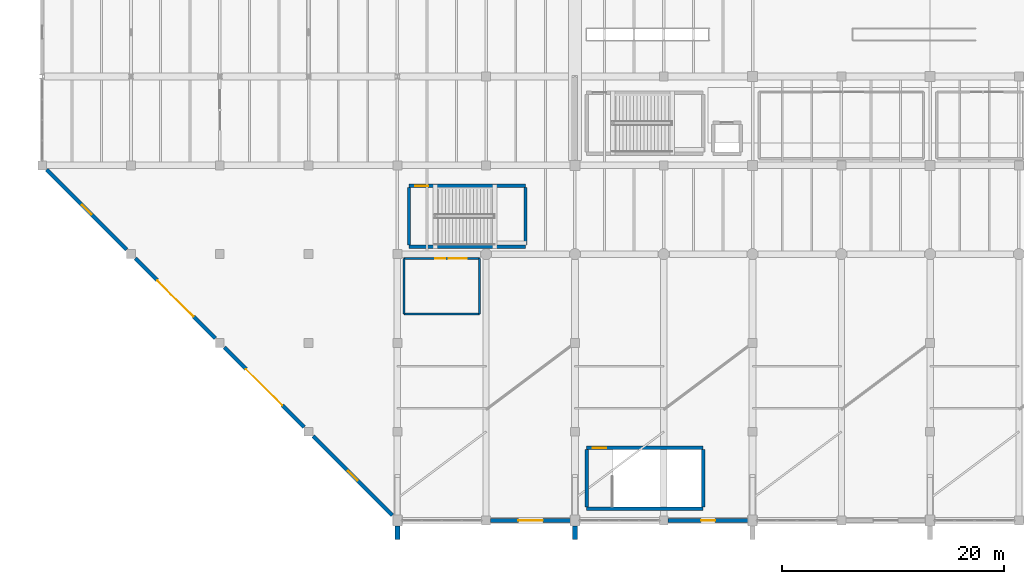
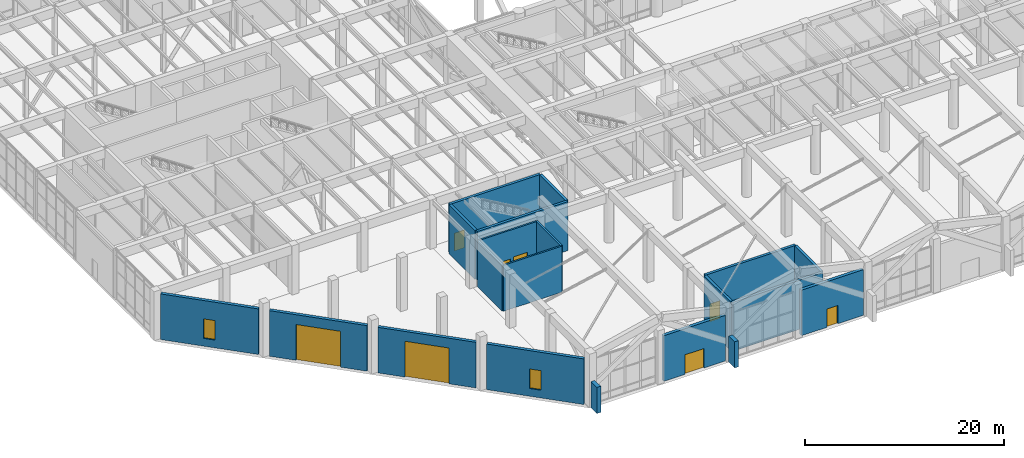
# One storey, part 33 of 51: 20 walls, 7 doors, 3 windows, 10 openings.
"""IFC4 building model written with IfcOpenShell, lengths in metres."""

from ifc_helpers import new_model, si_unit, direction, frame, frame_2d, origin, place, context, subcontext, project, spatial, rectangle, extrude, material, layer, layer_set, type_object, element, fill, save


model = new_model("IFC4")

# Units and contexts
model_context = context("Model", 3, precision=1e-05, world=origin(), true_north=direction((0.0, 1.0)))
body_context = subcontext(model_context, "Body", "Model", "MODEL_VIEW")
ifc_project = project(units=[si_unit("LENGTHUNIT", "METRE"), si_unit("AREAUNIT", "SQUARE_METRE"), si_unit("VOLUMEUNIT", "CUBIC_METRE"), si_unit("PLANEANGLEUNIT", "RADIAN"), si_unit("MASSUNIT", "GRAM", prefix="KILO")], contexts=[model_context])

# Site, building, storey
site_placement = place(None, origin())
site = spatial("IfcSite", under=ifc_project, at=site_placement, CompositionType="ELEMENT")
building_placement = place(site_placement, origin())
building = spatial("IfcBuilding", under=site, at=building_placement, Name="Varnela Railside Interchange", CompositionType="ELEMENT")
storey_placement = place(building_placement, origin())
storey = spatial("IfcBuildingStorey", under=building, at=storey_placement, Name="L00", CompositionType="ELEMENT", Elevation=0.0)

# Wall, opening, window
ifc_material_1 = material(Name="Concrete C40 precast", Category="concrete")
ifc_layer_1 = layer(ifc_material_1, 0.35009765625)
ifc_layer_set_1 = layer_set([ifc_layer_1], Name="Concrete C40 precast")
wall_type_1 = type_object("IfcWallType", Name="Bus Deck Acoustic Concrete Wall EW-04", PredefinedType="STANDARD", material=ifc_layer_set_1)
wall_1_placement = place(storey_placement, frame((35.547119140625, 6.452880859375, 0.0), z_axis=(0.0, 0.0, 1.0), x_axis=(-0.707106781187, 0.707106781187, 0.0)))
wall_1 = element("IfcWall", 1, at=wall_1_placement, inside=storey, type_object=wall_type_1, Name="Bus Deck Acoustic Concrete Wall EW-04 (L00) (WL-0341)", PredefinedType="STANDARD", context=body_context, shape_type="SweptSolid", body=[
    extrude(rectangle(XDim=10.107666015625, YDim=0.35009765625, at=frame_2d((5.0537109375, 0.0))), origin(), (0.0, 0.0, 1.0), 5.60009765625),
])
opening_1_placement = place(wall_1_placement, frame((4.453857421875, 0.0, 0.949951171875)))
opening_1 = element("IfcOpeningElement", 2, at=opening_1_placement, cuts=wall_1, Name="Opening W-001", PredefinedType="OPENING", context=body_context, shape_type="SweptSolid", body=[
    extrude(rectangle(XDim=1.199951171875, YDim=2.39990234375, at=frame_2d((0.60009765625, 1.199951171875))), frame((0.0, 0.18505859375, 0.0), z_axis=(0.0, -1.0, 0.0), x_axis=(1.0, 0.0, 0.0)), (0.0, 0.0, 1.0), 0.3701171875),
])
ifc_material_2 = material(Name="Glass laminated double", Category="glass")
window_type_1 = type_object("IfcWindowType", Name="Diagonal Portal Sidelight WN-08", PartitioningType="SINGLE_PANEL", PredefinedType="WINDOW", material=ifc_material_2)
window_1_placement = place(opening_1_placement, origin())
window_1 = element("IfcWindow", 3, at=window_1_placement, inside=storey, type_object=window_type_1, Name="Window W-001", OverallHeight=2.39990234375, OverallWidth=1.199951171875, PartitioningType="SINGLE_PANEL", PredefinedType="WINDOW", context=body_context, shape_type="SweptSolid", body=[
    extrude(rectangle(XDim=1.199951171875, YDim=2.39990234375, at=frame_2d((0.60009765625, 1.199951171875))), frame((0.0, 0.030029296875, 0.0), z_axis=(0.0, -1.0, 0.0), x_axis=(1.0, 0.0, 0.0)), (0.0, 0.0, 1.0), 0.06005859375),
])
fill(opening_1, window_1)

# Wall, opening, door
wall_2_placement = place(storey_placement, frame((27.60009765625, 14.39990234375, 0.0), z_axis=(0.0, 0.0, 1.0), x_axis=(-0.707106781187, 0.707106781187, 0.0)))
wall_2 = element("IfcWall", 4, at=wall_2_placement, inside=storey, type_object=wall_type_1, Name="Bus Deck Acoustic Concrete Wall EW-04 (L00) (WL-0348)", PredefinedType="STANDARD", context=body_context, shape_type="SweptSolid", body=[
    extrude(rectangle(XDim=10.1826171875, YDim=0.35009765625, at=frame_2d((5.09130859375, 0.0))), origin(), (0.0, 0.0, 1.0), 5.60009765625),
])
opening_2_placement = place(wall_2_placement, frame((2.791259765625, 0.0, 0.0)))
opening_2 = element("IfcOpeningElement", 5, at=opening_2_placement, cuts=wall_2, Name="Opening D-001", PredefinedType="OPENING", context=body_context, shape_type="SweptSolid", body=[
    extrude(rectangle(XDim=4.60009765625, YDim=4.39990234375, at=frame_2d((2.300048828125, 2.199951171875))), frame((0.0, 0.18505859375, 0.0), z_axis=(0.0, -1.0, 0.0), x_axis=(1.0, 0.0, 0.0)), (0.0, 0.0, 1.0), 0.3701171875),
])
ifc_material_3 = material(Name="Steel AR 350 (350 MPa)", Category="steel")
door_type_1 = type_object("IfcDoorType", Name="Bus Apron Roller Portal Gate ED-05", OperationType="ROLLINGUP", PredefinedType="GATE", material=ifc_material_3)
door_1_placement = place(opening_2_placement, origin())
door_1 = element("IfcDoor", 6, at=door_1_placement, inside=storey, type_object=door_type_1, Name="Door D-001", OperationType="ROLLINGUP", OverallHeight=4.39990234375, OverallWidth=4.60009765625, PredefinedType="GATE", context=body_context, shape_type="SweptSolid", body=[
    extrude(rectangle(XDim=4.60009765625, YDim=4.39990234375, at=frame_2d((2.300048828125, 2.199951171875))), frame((0.0, 0.02490234375, 0.0), z_axis=(0.0, -1.0, 0.0), x_axis=(1.0, 0.0, 0.0)), (0.0, 0.0, 1.0), 0.050048828125),
])
fill(opening_2, door_1)

wall_3_placement = place(storey_placement, frame((19.60009765625, 22.39990234375, 0.0), z_axis=(0.0, 0.0, 1.0), x_axis=(-0.707106781187, 0.707106781187, 0.0)))
wall_3 = element("IfcWall", 7, at=wall_3_placement, inside=storey, type_object=wall_type_1, Name="Bus Deck Acoustic Concrete Wall EW-04 (L00) (WL-0354)", PredefinedType="STANDARD", context=body_context, shape_type="SweptSolid", body=[
    extrude(rectangle(XDim=10.1826171875, YDim=0.35009765625, at=frame_2d((5.09130859375, 0.0))), origin(), (0.0, 0.0, 1.0), 5.60009765625),
])
opening_3_placement = place(wall_3_placement, frame((2.791259765625, 0.0, 0.0)))
opening_3 = element("IfcOpeningElement", 8, at=opening_3_placement, cuts=wall_3, Name="Opening D-002", PredefinedType="OPENING", context=body_context, shape_type="SweptSolid", body=[
    extrude(rectangle(XDim=4.60009765625, YDim=4.39990234375, at=frame_2d((2.300048828125, 2.199951171875))), frame((0.0, 0.18505859375, 0.0), z_axis=(0.0, -1.0, 0.0), x_axis=(1.0, 0.0, 0.0)), (0.0, 0.0, 1.0), 0.3701171875),
])
door_2_placement = place(opening_3_placement, origin())
door_2 = element("IfcDoor", 9, at=door_2_placement, inside=storey, type_object=door_type_1, Name="Door D-002", OperationType="ROLLINGUP", OverallHeight=4.39990234375, OverallWidth=4.60009765625, PredefinedType="GATE", context=body_context, shape_type="SweptSolid", body=[
    extrude(rectangle(XDim=4.60009765625, YDim=4.39990234375, at=frame_2d((2.300048828125, 2.199951171875))), frame((0.0, 0.02490234375, 0.0), z_axis=(0.0, -1.0, 0.0), x_axis=(1.0, 0.0, 0.0)), (0.0, 0.0, 1.0), 0.050048828125),
])
fill(opening_3, door_2)

# Wall, opening, window
wall_4_placement = place(storey_placement, frame((11.60009765625, 30.39990234375, 0.0), z_axis=(0.0, 0.0, 1.0), x_axis=(-0.707106781187, 0.707106781187, 0.0)))
wall_4 = element("IfcWall", 10, at=wall_4_placement, inside=storey, type_object=wall_type_1, Name="Bus Deck Acoustic Concrete Wall EW-04 (L00) (WL-0365)", PredefinedType="STANDARD", context=body_context, shape_type="SweptSolid", body=[
    extrude(rectangle(XDim=10.1826171875, YDim=0.35009765625, at=frame_2d((5.09130859375, 0.0))), origin(), (0.0, 0.0, 1.0), 5.60009765625),
])
opening_4_placement = place(wall_4_placement, frame((4.4912109375, 0.0, 0.949951171875)))
opening_4 = element("IfcOpeningElement", 11, at=opening_4_placement, cuts=wall_4, Name="Opening W-002", PredefinedType="OPENING", context=body_context, shape_type="SweptSolid", body=[
    extrude(rectangle(XDim=1.199951171875, YDim=2.39990234375, at=frame_2d((0.60009765625, 1.199951171875))), frame((0.0, 0.18505859375, 0.0), z_axis=(0.0, -1.0, 0.0), x_axis=(1.0, 0.0, 0.0)), (0.0, 0.0, 1.0), 0.3701171875),
])
window_2_placement = place(opening_4_placement, origin())
window_2 = element("IfcWindow", 12, at=window_2_placement, inside=storey, type_object=window_type_1, Name="Window W-002", OverallHeight=2.39990234375, OverallWidth=1.199951171875, PartitioningType="SINGLE_PANEL", PredefinedType="WINDOW", context=body_context, shape_type="SweptSolid", body=[
    extrude(rectangle(XDim=1.199951171875, YDim=2.39990234375, at=frame_2d((0.60009765625, 1.199951171875))), frame((0.0, 0.030029296875, 0.0), z_axis=(0.0, -1.0, 0.0), x_axis=(1.0, 0.0, 0.0)), (0.0, 0.0, 1.0), 0.06005859375),
])
fill(opening_4, window_2)

# Wall, opening, door
wall_5_placement = place(storey_placement, frame((67.60009765625, 6.0, 0.0), z_axis=(0.0, 0.0, 1.0), x_axis=(-1.0, 0.0, 0.0)))
wall_5 = element("IfcWall", 13, at=wall_5_placement, inside=storey, type_object=wall_type_1, Name="Bus Deck Acoustic Concrete Wall EW-04 (L00) (WL-0381)", PredefinedType="STANDARD", context=body_context, shape_type="SweptSolid", body=[
    extrude(rectangle(XDim=7.2001953125, YDim=0.35009765625, at=frame_2d((3.60009765625, 0.0))), origin(), (0.0, 0.0, 1.0), 5.60009765625),
])
opening_5_placement = place(wall_5_placement, frame((2.97509765625, 0.0, 0.0)))
opening_5 = element("IfcOpeningElement", 14, at=opening_5_placement, cuts=wall_5, Name="Opening D-022", PredefinedType="OPENING", context=body_context, shape_type="SweptSolid", body=[
    extrude(rectangle(XDim=1.25, YDim=2.25, at=frame_2d((0.625, 1.125))), frame((0.0, 0.18505859375, 0.0), z_axis=(0.0, -1.0, 0.0), x_axis=(1.0, 0.0, 0.0)), (0.0, 0.0, 1.0), 0.3701171875),
])
door_type_2 = type_object("IfcDoorType", Name="Trackside Service Exit Door ED-08", OperationType="SINGLE_SWING_RIGHT", PredefinedType="DOOR", material=ifc_material_3)
door_3_placement = place(opening_5_placement, origin())
door_3 = element("IfcDoor", 15, at=door_3_placement, inside=storey, type_object=door_type_2, Name="Door D-022", OperationType="SINGLE_SWING_RIGHT", OverallHeight=2.25, OverallWidth=1.25, PredefinedType="DOOR", context=body_context, shape_type="SweptSolid", body=[
    extrude(rectangle(XDim=1.25, YDim=2.25, at=frame_2d((0.625, 1.125))), frame((0.0, 0.02490234375, 0.0), z_axis=(0.0, -1.0, 0.0), x_axis=(1.0, 0.0, 0.0)), (0.0, 0.0, 1.0), 0.050048828125),
])
fill(opening_5, door_3)

wall_6_placement = place(storey_placement, frame((51.60009765625, 6.0, 0.0), z_axis=(0.0, 0.0, 1.0), x_axis=(-1.0, 0.0, 0.0)))
wall_6 = element("IfcWall", 16, at=wall_6_placement, inside=storey, type_object=wall_type_1, Name="Bus Deck Acoustic Concrete Wall EW-04 (L00) (WL-0383)", PredefinedType="STANDARD", context=body_context, shape_type="SweptSolid", body=[
    extrude(rectangle(XDim=7.2001953125, YDim=0.35009765625, at=frame_2d((3.60009765625, 0.0))), origin(), (0.0, 0.0, 1.0), 5.60009765625),
])
opening_6_placement = place(wall_6_placement, frame((2.5, 0.0, 0.0)))
opening_6 = element("IfcOpeningElement", 17, at=opening_6_placement, cuts=wall_6, Name="Opening D-023", PredefinedType="OPENING", context=body_context, shape_type="SweptSolid", body=[
    extrude(rectangle(XDim=2.199951171875, YDim=2.39990234375, at=frame_2d((1.10009765625, 1.199951171875))), frame((0.0, 0.18505859375, 0.0), z_axis=(0.0, -1.0, 0.0), x_axis=(1.0, 0.0, 0.0)), (0.0, 0.0, 1.0), 0.3701171875),
])
ifc_material_4 = material(Name="Aluminium 6063-T6", Category="aluminium")
door_type_3 = type_object("IfcDoorType", Name="Bus Bay Automatic Boarding Door ED-04", OperationType="SLIDING_TO_LEFT", PredefinedType="DOOR", material=ifc_material_4)
door_4_placement = place(opening_6_placement, origin())
door_4 = element("IfcDoor", 18, at=door_4_placement, inside=storey, type_object=door_type_3, Name="Door D-023", OperationType="SLIDING_TO_LEFT", OverallHeight=2.39990234375, OverallWidth=2.199951171875, PredefinedType="DOOR", context=body_context, shape_type="SweptSolid", body=[
    extrude(rectangle(XDim=2.199951171875, YDim=2.39990234375, at=frame_2d((1.10009765625, 1.199951171875))), frame((0.0, 0.02490234375, 0.0), z_axis=(0.0, -1.0, 0.0), x_axis=(1.0, 0.0, 0.0)), (0.0, 0.0, 1.0), 0.050048828125),
])
fill(opening_6, door_4)

ifc_material_5 = material(Name="Concrete C50", Category="concrete")
ifc_layer_2 = layer(ifc_material_5, 0.300048828125)
ifc_layer_set_2 = layer_set([ifc_layer_2], Name="Concrete C50")
wall_type_2 = type_object("IfcWallType", Name="Stair & Lift Shaft Wall SW-03", PredefinedType="SHEAR", material=ifc_layer_set_2)
wall_7_placement = place(storey_placement, frame((37.050048828125, 36.14990234375, 0.0), z_axis=(0.0, 0.0, 1.0), x_axis=(1.0, 0.0, 0.0)))
wall_7 = element("IfcWall", 19, at=wall_7_placement, inside=storey, type_object=wall_type_2, Name="Stair & Lift Shaft Wall SW-03 (L00) (WL-0455)", PredefinedType="SHEAR", context=body_context, shape_type="SweptSolid", body=[
    extrude(rectangle(XDim=10.5, YDim=0.300048828125, at=frame_2d((5.25, 0.0))), origin(), (0.0, 0.0, 1.0), 6.02001953125),
])
opening_7_placement = place(wall_7_placement, frame((0.550048828125, 0.0, 0.0)))
opening_7 = element("IfcOpeningElement", 20, at=opening_7_placement, cuts=wall_7, Name="Opening D-162", PredefinedType="OPENING", context=body_context, shape_type="SweptSolid", body=[
    extrude(rectangle(XDim=1.199951171875, YDim=2.199951171875, at=frame_2d((0.60009765625, 1.10009765625))), frame((0.0, 0.159912109375, 0.0), z_axis=(0.0, -1.0, 0.0), x_axis=(1.0, 0.0, 0.0)), (0.0, 0.0, 1.0), 0.320068359375),
])
door_type_4 = type_object("IfcDoorType", Name="DR-SGL-1200-FD90", OperationType="NOTDEFINED", PredefinedType="DOOR", material=ifc_material_3)
door_5_placement = place(opening_7_placement, origin())
door_5 = element("IfcDoor", 21, at=door_5_placement, inside=storey, type_object=door_type_4, Name="Door D-162", OperationType="SINGLE_SWING_LEFT", OverallHeight=2.199951171875, OverallWidth=1.199951171875, PredefinedType="DOOR", context=body_context, shape_type="SweptSolid", body=[
    extrude(rectangle(XDim=1.199951171875, YDim=2.199951171875, at=frame_2d((0.60009765625, 1.10009765625))), frame((0.0, 0.02490234375, 0.0), z_axis=(0.0, -1.0, 0.0), x_axis=(1.0, 0.0, 0.0)), (0.0, 0.0, 1.0), 0.050048828125),
])
fill(opening_7, door_5)

# Walls
wall_8_placement = place(storey_placement, frame((37.050048828125, 30.64990234375, 0.0), z_axis=(0.0, 0.0, 1.0), x_axis=(1.0, 0.0, 0.0)))
element("IfcWall", 22, at=wall_8_placement, inside=storey, type_object=wall_type_2, Name="Stair & Lift Shaft Wall SW-03 (L00) (WL-0456)", PredefinedType="SHEAR", context=body_context, shape_type="SweptSolid", body=[
    extrude(rectangle(XDim=10.5, YDim=0.300048828125, at=frame_2d((5.25, 0.0))), origin(), (0.0, 0.0, 1.0), 6.02001953125),
])
for number, where, z_axis, x_axis, name in (
    (23, (37.050048828125, 30.800048828125, 0.0), (0.0, 0.0, 1.0), (0.0, 1.0, 0.0), "Stair & Lift Shaft Wall SW-03 (L00) (WL-0457)"),
    (24, (47.550048828125, 30.800048828125, 0.0), (0.0, 0.0, 1.0), (0.0, 1.0, 0.0), "Stair & Lift Shaft Wall SW-03 (L00) (WL-0454)"),
):
    element("IfcWall", number, at=place(storey_placement, frame(where, z_axis=z_axis, x_axis=x_axis)), inside=storey, type_object=wall_type_2, Name=name, PredefinedType="SHEAR", context=body_context, shape_type="SweptSolid", body=[
        extrude(rectangle(XDim=5.199951171875, YDim=0.300048828125, at=frame_2d((2.60009765625, 0.0))), origin(), (0.0, 0.0, 1.0), 6.02001953125),
    ])

# Wall, opening, door
wall_9_placement = place(storey_placement, frame((53.050048828125, 12.550048828125, 0.0), z_axis=(0.0, 0.0, 1.0), x_axis=(1.0, 0.0, 0.0)))
wall_9 = element("IfcWall", 25, at=wall_9_placement, inside=storey, type_object=wall_type_2, Name="Stair & Lift Shaft Wall SW-03 (L00) (WL-0463)", PredefinedType="SHEAR", context=body_context, shape_type="SweptSolid", body=[
    extrude(rectangle(XDim=10.5, YDim=0.300048828125, at=frame_2d((5.25, 0.0))), origin(), (0.0, 0.0, 1.0), 6.02001953125),
])
opening_8_placement = place(wall_9_placement, frame((0.550048828125, 0.0, 0.0)))
opening_8 = element("IfcOpeningElement", 26, at=opening_8_placement, cuts=wall_9, Name="Opening D-164", PredefinedType="OPENING", context=body_context, shape_type="SweptSolid", body=[
    extrude(rectangle(XDim=1.199951171875, YDim=2.199951171875, at=frame_2d((0.60009765625, 1.10009765625))), frame((0.0, 0.159912109375, 0.0), z_axis=(0.0, -1.0, 0.0), x_axis=(1.0, 0.0, 0.0)), (0.0, 0.0, 1.0), 0.320068359375),
])
door_6_placement = place(opening_8_placement, origin())
door_6 = element("IfcDoor", 27, at=door_6_placement, inside=storey, type_object=door_type_4, Name="Door D-164", OperationType="SINGLE_SWING_LEFT", OverallHeight=2.199951171875, OverallWidth=1.199951171875, PredefinedType="DOOR", context=body_context, shape_type="SweptSolid", body=[
    extrude(rectangle(XDim=1.199951171875, YDim=2.199951171875, at=frame_2d((0.60009765625, 1.10009765625))), frame((0.0, 0.02490234375, 0.0), z_axis=(0.0, -1.0, 0.0), x_axis=(1.0, 0.0, 0.0)), (0.0, 0.0, 1.0), 0.050048828125),
])
fill(opening_8, door_6)

# Walls
wall_10_placement = place(storey_placement, frame((53.050048828125, 7.050048828125, 0.0), z_axis=(0.0, 0.0, 1.0), x_axis=(1.0, 0.0, 0.0)))
element("IfcWall", 28, at=wall_10_placement, inside=storey, type_object=wall_type_2, Name="Stair & Lift Shaft Wall SW-03 (L00) (WL-0464)", PredefinedType="SHEAR", context=body_context, shape_type="SweptSolid", body=[
    extrude(rectangle(XDim=10.5, YDim=0.300048828125, at=frame_2d((5.25, 0.0))), origin(), (0.0, 0.0, 1.0), 6.02001953125),
])
for number, where, z_axis, x_axis, name in (
    (29, (53.050048828125, 7.199951171875, 0.0), (0.0, 0.0, 1.0), (0.0, 1.0, 0.0), "Stair & Lift Shaft Wall SW-03 (L00) (WL-0465)"),
    (30, (63.550048828125, 7.199951171875, 0.0), (0.0, 0.0, 1.0), (0.0, 1.0, 0.0), "Stair & Lift Shaft Wall SW-03 (L00) (WL-0462)"),
):
    element("IfcWall", number, at=place(storey_placement, frame(where, z_axis=z_axis, x_axis=x_axis)), inside=storey, type_object=wall_type_2, Name=name, PredefinedType="SHEAR", context=body_context, shape_type="SweptSolid", body=[
        extrude(rectangle(XDim=5.199951171875, YDim=0.300048828125, at=frame_2d((2.60009765625, 0.0))), origin(), (0.0, 0.0, 1.0), 6.02001953125),
    ])

# Wall, openings, door, window
ifc_material_6 = material(Name="Masonry concrete block", Category="masonry")
ifc_layer_3 = layer(ifc_material_6, 0.18994140625)
ifc_layer_set_3 = layer_set([ifc_layer_3], Name="Masonry concrete block")
wall_type_3 = type_object("IfcWallType", Name="Transit Kiosk Masonry Wall IW-05", PredefinedType="SOLIDWALL", material=ifc_layer_set_3)
wall_11_placement = place(storey_placement, frame((36.60009765625, 29.60009765625, 0.0), z_axis=(0.0, 0.0, 1.0), x_axis=(1.0, 0.0, 0.0)))
wall_11 = element("IfcWall", 31, at=wall_11_placement, inside=storey, type_object=wall_type_3, Name="Transit Kiosk Masonry Wall IW-05 (L00) (WL-0391)", PredefinedType="SOLIDWALL", context=body_context, shape_type="SweptSolid", body=[
    extrude(rectangle(XDim=6.7998046875, YDim=0.199951171875, at=frame_2d((3.39990234375, 0.0))), origin(), (0.0, 0.0, 1.0), 5.64990234375),
])
opening_9_placement = place(wall_11_placement, frame((2.800048828125, 0.0, 0.0)))
opening_9 = element("IfcOpeningElement", 32, at=opening_9_placement, cuts=wall_11, Name="Opening D-173", PredefinedType="OPENING", context=body_context, shape_type="SweptSolid", body=[
    extrude(rectangle(XDim=0.89990234375, YDim=2.10009765625, at=frame_2d((0.449951171875, 1.050048828125))), frame((0.0, 0.10986328125, 0.0), z_axis=(0.0, -1.0, 0.0), x_axis=(1.0, 0.0, 0.0)), (0.0, 0.0, 1.0), 0.219970703125),
])
opening_10_placement = place(wall_11_placement, frame((4.050048828125, 0.0, 0.949951171875)))
opening_10 = element("IfcOpeningElement", 33, at=opening_10_placement, cuts=wall_11, Name="Opening IW-001", PredefinedType="OPENING", context=body_context, shape_type="SweptSolid", body=[
    extrude(rectangle(XDim=1.60009765625, YDim=1.300048828125, at=frame_2d((0.800048828125, 0.64990234375))), frame((0.0, 0.10986328125, 0.0), z_axis=(0.0, -1.0, 0.0), x_axis=(1.0, 0.0, 0.0)), (0.0, 0.0, 1.0), 0.219970703125),
])
ifc_material_7 = material(Name="Timber solid core", Category="wood")
door_type_5 = type_object("IfcDoorType", Name="DR-SGL-900", OperationType="NOTDEFINED", PredefinedType="DOOR", material=ifc_material_7)
door_7_placement = place(opening_9_placement, origin())
door_7 = element("IfcDoor", 34, at=door_7_placement, inside=storey, type_object=door_type_5, Name="Door D-173", OperationType="SINGLE_SWING_RIGHT", OverallHeight=2.10009765625, OverallWidth=0.89990234375, PredefinedType="DOOR", context=body_context, shape_type="SweptSolid", body=[
    extrude(rectangle(XDim=0.89990234375, YDim=2.10009765625, at=frame_2d((0.449951171875, 1.050048828125))), frame((0.0, 0.02490234375, 0.0), z_axis=(0.0, -1.0, 0.0), x_axis=(1.0, 0.0, 0.0)), (0.0, 0.0, 1.0), 0.050048828125),
])
fill(opening_9, door_7)
window_type_2 = type_object("IfcWindowType", Name="Interior Acoustic Vision Window IW-WN1", PartitioningType="SINGLE_PANEL", PredefinedType="WINDOW", material=ifc_material_2)
window_3_placement = place(opening_10_placement, origin())
window_3 = element("IfcWindow", 35, at=window_3_placement, inside=storey, type_object=window_type_2, Name="Window IW-001", OverallHeight=1.300048828125, OverallWidth=1.60009765625, PartitioningType="SINGLE_PANEL", PredefinedType="WINDOW", context=body_context, shape_type="SweptSolid", body=[
    extrude(rectangle(XDim=1.60009765625, YDim=1.300048828125, at=frame_2d((0.800048828125, 0.64990234375))), frame((0.0, 0.030029296875, 0.0), z_axis=(0.0, -1.0, 0.0), x_axis=(1.0, 0.0, 0.0)), (0.0, 0.0, 1.0), 0.06005859375),
])
fill(opening_10, window_3)

# Walls
wall_12_placement = place(storey_placement, frame((36.60009765625, 24.60009765625, 0.0), z_axis=(0.0, 0.0, 1.0), x_axis=(1.0, 0.0, 0.0)))
element("IfcWall", 36, at=wall_12_placement, inside=storey, type_object=wall_type_3, Name="Transit Kiosk Masonry Wall IW-05 (L00) (WL-0392)", PredefinedType="SOLIDWALL", context=body_context, shape_type="SweptSolid", body=[
    extrude(rectangle(XDim=6.7998046875, YDim=0.199951171875, at=frame_2d((3.39990234375, 0.0))), origin(), (0.0, 0.0, 1.0), 5.64990234375),
])
for number, where, z_axis, x_axis, name in (
    (37, (36.60009765625, 24.60009765625, 0.0), (0.0, 0.0, 1.0), (0.0, 1.0, 0.0), "Transit Kiosk Masonry Wall IW-05 (L00) (WL-0393)"),
    (38, (43.39990234375, 24.60009765625, 0.0), (0.0, 0.0, 1.0), (0.0, 1.0, 0.0), "Transit Kiosk Masonry Wall IW-05 (L00) (WL-0390)"),
):
    element("IfcWall", number, at=place(storey_placement, frame(where, z_axis=z_axis, x_axis=x_axis)), inside=storey, type_object=wall_type_3, Name=name, PredefinedType="SOLIDWALL", context=body_context, shape_type="SweptSolid", body=[
        extrude(rectangle(XDim=5.0, YDim=0.199951171875, at=frame_2d((2.5, 0.0))), origin(), (0.0, 0.0, 1.0), 5.64990234375),
    ])
ifc_layer_4 = layer(ifc_material_5, 0.449951171875)
ifc_layer_set_4 = layer_set([ifc_layer_4], Name="Concrete C50")
wall_type_4 = type_object("IfcWallType", Name="V-Pier Sculpted Shear Blade VB-01", PredefinedType="SHEAR", material=ifc_layer_set_4)
for number, where, z_axis, x_axis, name in (
    (39, (36.0, 4.300048828125, 0.0), (0.0, 0.0, 1.0), (0.0, 1.0, 0.0), "V-Pier Sculpted Shear Blade VB-01 (L00) (WL-0474)"),
    (40, (52.0, 4.300048828125, 0.0), (0.0, 0.0, 1.0), (0.0, 1.0, 0.0), "V-Pier Sculpted Shear Blade VB-01 (L00) (WL-0475)"),
):
    element("IfcWall", number, at=place(storey_placement, frame(where, z_axis=z_axis, x_axis=x_axis)), inside=storey, type_object=wall_type_4, Name=name, PredefinedType="SHEAR", context=body_context, shape_type="SweptSolid", body=[
        extrude(rectangle(XDim=1.199951171875, YDim=0.449951171875, at=frame_2d((0.60009765625, 0.0))), origin(), (0.0, 0.0, 1.0), 3.199951171875),
    ])

save(model, "model.ifc")
